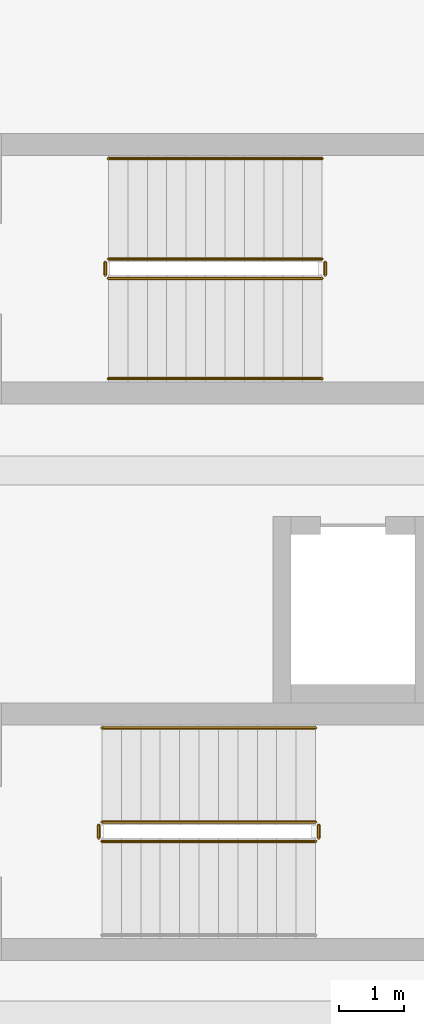
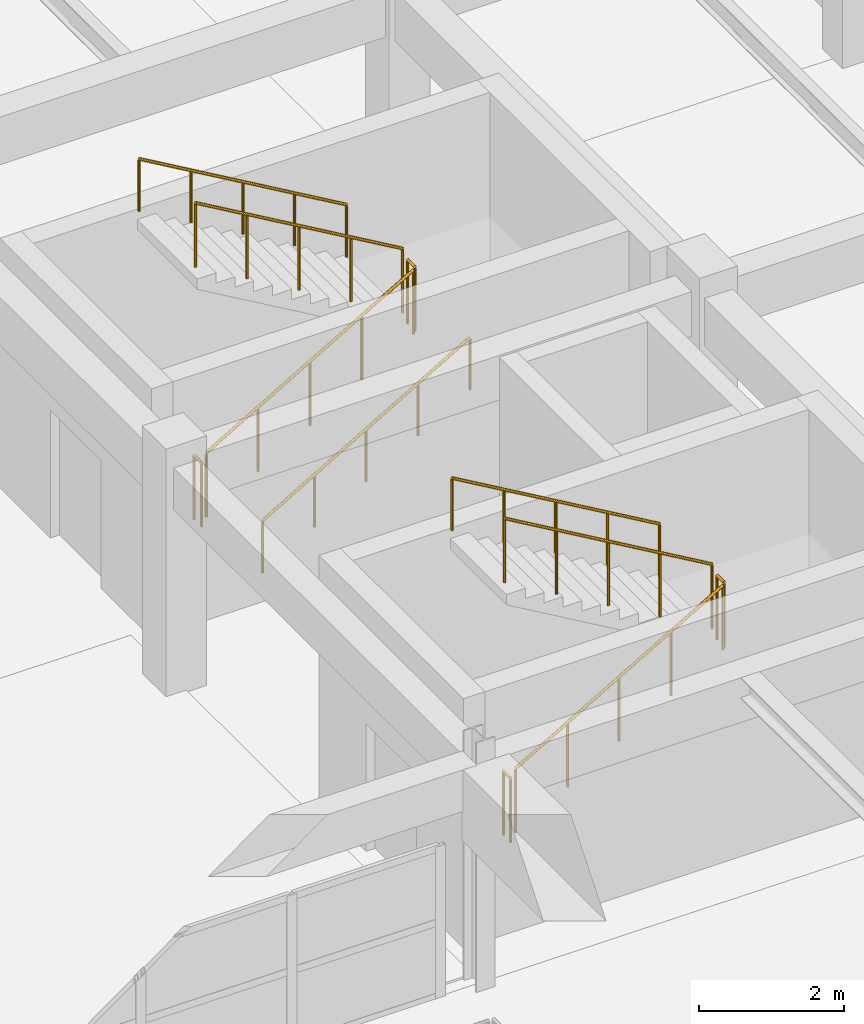
# One storey, part 64 of 71: 11 railings.
"""IFC4 building model written with IfcOpenShell, lengths in metres."""

from ifc_helpers import new_model, si_unit, direction, frame, origin, origin_2d, place, context, subcontext, project, spatial, circle, extrude, material, type_object, element, save


model = new_model("IFC4")

# Units and contexts
model_context = context("Model", 3, precision=1e-05, world=origin(), true_north=direction((0.0, 1.0)))
body_context = subcontext(model_context, "Body", "Model", "MODEL_VIEW")
ifc_project = project(units=[si_unit("LENGTHUNIT", "METRE"), si_unit("AREAUNIT", "SQUARE_METRE"), si_unit("VOLUMEUNIT", "CUBIC_METRE"), si_unit("PLANEANGLEUNIT", "RADIAN"), si_unit("MASSUNIT", "GRAM", prefix="KILO")], contexts=[model_context])

# Site, building, storey
site_placement = place(None, origin())
site = spatial("IfcSite", under=ifc_project, at=site_placement, CompositionType="ELEMENT")
building_placement = place(site_placement, origin())
building = spatial("IfcBuilding", under=site, at=building_placement, Name="Korsvaeld Concert Hall", CompositionType="ELEMENT")
storey_placement = place(building_placement, frame((0.0, 0.0, 4.800048828125)))
storey = spatial("IfcBuildingStorey", under=building, at=storey_placement, Name="L01", CompositionType="ELEMENT", Elevation=4.800048828125)

# Railings
ifc_material_1 = material(Name="Powder-coated steel and bronze stair guardrail", Category="steel")
railing_type_1 = type_object("IfcRailingType", Name="RL-STAIR-GUARD-120", PredefinedType="GUARDRAIL", material=ifc_material_1)
railing_1_placement = place(storey_placement, frame((111.320068359375, 45.8701171875, 0.175048828125)))
element("IfcRailing", 1, at=railing_1_placement, inside=storey, type_object=railing_type_1, Name="L01 ST-K4 stair guard 1", PredefinedType="GUARDRAIL", context=body_context, shape_type="SweptSolid", body=[
    extrude(circle(Radius=0.02392578125, at=origin_2d()), frame((0.0, 0.0, 1.076171875), z_axis=(0.863804395585, 0.0, 0.503827317807), x_axis=(0.0, 1.0, 0.0)), (0.0, 0.0, 1.0), 3.8203125),
    extrude(circle(Radius=0.02099609375, at=origin_2d()), origin(), (0.0, 0.0, 1.0), 1.052001953125),
    extrude(circle(Radius=0.02099609375, at=origin_2d()), frame((0.824951171875, 0.0, 0.481201171875)), (0.0, 0.0, 1.0), 1.052001953125),
    extrude(circle(Radius=0.02099609375, at=origin_2d()), frame((1.64990234375, 0.0, 0.96240234375)), (0.0, 0.0, 1.0), 1.052001953125),
    extrude(circle(Radius=0.02099609375, at=origin_2d()), frame((2.47509765625, 0.0, 1.443603515625)), (0.0, 0.0, 1.0), 1.052001953125),
    extrude(circle(Radius=0.02099609375, at=origin_2d()), frame((3.300048828125, 0.0, 1.9248046875)), (0.0, 0.0, 1.0), 1.052001953125),
])
railing_2_placement = place(storey_placement, frame((114.669921875, 45.919921875, 2.099853515625)))
element("IfcRailing", 2, at=railing_2_placement, inside=storey, type_object=railing_type_1, Name="L01 ST-K4 stair guard 2", PredefinedType="GUARDRAIL", context=body_context, shape_type="SweptSolid", body=[
    extrude(circle(Radius=0.02392578125, at=origin_2d()), frame((0.0, 0.0, 1.076171875), z_axis=(0.0, 1.0, 0.0), x_axis=(-1.0, 0.0, 0.0)), (0.0, 0.0, 1.0), 0.2001953125),
    extrude(circle(Radius=0.02099609375, at=origin_2d()), origin(), (0.0, 0.0, 1.0), 1.052001953125),
    extrude(circle(Radius=0.02099609375, at=origin_2d()), frame((0.0, 0.2001953125, 0.0)), (0.0, 0.0, 1.0), 1.052001953125),
])
railing_3_placement = place(storey_placement, frame((114.6201171875, 46.169921875, 2.27490234375)))
element("IfcRailing", 3, at=railing_3_placement, inside=storey, type_object=railing_type_1, Name="L01 ST-K4 stair guard 3", PredefinedType="GUARDRAIL", context=body_context, shape_type="SweptSolid", body=[
    extrude(circle(Radius=0.02392578125, at=origin_2d()), frame((0.0, 0.0, 1.076171875), z_axis=(-0.863776583165, 0.0, 0.503874998761), x_axis=(0.0, -1.0, 0.0)), (0.0, 0.0, 1.0), 3.820556640625),
    extrude(circle(Radius=0.02099609375, at=origin_2d()), origin(), (0.0, 0.0, 1.0), 1.052001953125),
    extrude(circle(Radius=0.02099609375, at=origin_2d()), frame((-0.824951171875, 0.0, 0.481201171875)), (0.0, 0.0, 1.0), 1.052001953125),
    extrude(circle(Radius=0.02099609375, at=origin_2d()), frame((-1.64990234375, 0.0, 0.96240234375)), (0.0, 0.0, 1.0), 1.052001953125),
    extrude(circle(Radius=0.02099609375, at=origin_2d()), frame((-2.47509765625, 0.0, 1.44384765625)), (0.0, 0.0, 1.0), 1.052001953125),
    extrude(circle(Radius=0.02099609375, at=origin_2d()), frame((-3.300048828125, 0.0, 1.925048828125)), (0.0, 0.0, 1.0), 1.052001953125),
])
railing_4_placement = place(storey_placement, frame((111.27001953125, 45.919921875, 0.0)))
element("IfcRailing", 4, at=railing_4_placement, inside=storey, type_object=railing_type_1, Name="L01 ST-K4 stair guard 4", PredefinedType="GUARDRAIL", context=body_context, shape_type="SweptSolid", body=[
    extrude(circle(Radius=0.02392578125, at=origin_2d()), frame((0.0, 0.0, 1.076171875), z_axis=(0.0, 1.0, 0.0), x_axis=(-1.0, 0.0, 0.0)), (0.0, 0.0, 1.0), 0.2001953125),
    extrude(circle(Radius=0.02099609375, at=origin_2d()), origin(), (0.0, 0.0, 1.0), 1.052001953125),
    extrude(circle(Radius=0.02099609375, at=origin_2d()), frame((0.0, 0.2001953125, 0.0)), (0.0, 0.0, 1.0), 1.052001953125),
])
railing_5_placement = place(storey_placement, frame((111.419921875, 54.570068359375, 0.175048828125)))
element("IfcRailing", 5, at=railing_5_placement, inside=storey, type_object=railing_type_1, Name="L01 ST-F2 stair guard 1", PredefinedType="GUARDRAIL", context=body_context, shape_type="SweptSolid", body=[
    extrude(circle(Radius=0.02392578125, at=origin_2d()), frame((0.0, 0.0, 1.076171875), z_axis=(0.863804395585, 0.0, 0.503827317807), x_axis=(0.0, 1.0, 0.0)), (0.0, 0.0, 1.0), 3.8203125),
    extrude(circle(Radius=0.02099609375, at=origin_2d()), origin(), (0.0, 0.0, 1.0), 1.052001953125),
    extrude(circle(Radius=0.02099609375, at=origin_2d()), frame((0.824951171875, 0.0, 0.481201171875)), (0.0, 0.0, 1.0), 1.052001953125),
    extrude(circle(Radius=0.02099609375, at=origin_2d()), frame((1.64990234375, 0.0, 0.96240234375)), (0.0, 0.0, 1.0), 1.052001953125),
    extrude(circle(Radius=0.02099609375, at=origin_2d()), frame((2.47509765625, 0.0, 1.443603515625)), (0.0, 0.0, 1.0), 1.052001953125),
    extrude(circle(Radius=0.02099609375, at=origin_2d()), frame((3.300048828125, 0.0, 1.9248046875)), (0.0, 0.0, 1.0), 1.052001953125),
])
railing_6_placement = place(storey_placement, frame((114.77001953125, 54.6201171875, 2.099853515625)))
element("IfcRailing", 6, at=railing_6_placement, inside=storey, type_object=railing_type_1, Name="L01 ST-F2 stair guard 2", PredefinedType="GUARDRAIL", context=body_context, shape_type="SweptSolid", body=[
    extrude(circle(Radius=0.02392578125, at=origin_2d()), frame((0.0, 0.0, 1.076171875), z_axis=(0.0, 1.0, 0.0), x_axis=(-1.0, 0.0, 0.0)), (0.0, 0.0, 1.0), 0.199951171875),
    extrude(circle(Radius=0.02099609375, at=origin_2d()), origin(), (0.0, 0.0, 1.0), 1.052001953125),
    extrude(circle(Radius=0.02099609375, at=origin_2d()), frame((0.0, 0.199951171875, 0.0)), (0.0, 0.0, 1.0), 1.052001953125),
])
railing_7_placement = place(storey_placement, frame((114.719970703125, 54.8701171875, 2.27490234375)))
element("IfcRailing", 7, at=railing_7_placement, inside=storey, type_object=railing_type_1, Name="L01 ST-F2 stair guard 3", PredefinedType="GUARDRAIL", context=body_context, shape_type="SweptSolid", body=[
    extrude(circle(Radius=0.02392578125, at=origin_2d()), frame((0.0, 0.0, 1.076171875), z_axis=(-0.863776583165, 0.0, 0.503874998761), x_axis=(0.0, -1.0, 0.0)), (0.0, 0.0, 1.0), 3.820556640625),
    extrude(circle(Radius=0.02099609375, at=origin_2d()), origin(), (0.0, 0.0, 1.0), 1.052001953125),
    extrude(circle(Radius=0.02099609375, at=origin_2d()), frame((-0.824951171875, 0.0, 0.481201171875)), (0.0, 0.0, 1.0), 1.052001953125),
    extrude(circle(Radius=0.02099609375, at=origin_2d()), frame((-1.64990234375, 0.0, 0.96240234375)), (0.0, 0.0, 1.0), 1.052001953125),
    extrude(circle(Radius=0.02099609375, at=origin_2d()), frame((-2.47509765625, 0.0, 1.44384765625)), (0.0, 0.0, 1.0), 1.052001953125),
    extrude(circle(Radius=0.02099609375, at=origin_2d()), frame((-3.300048828125, 0.0, 1.925048828125)), (0.0, 0.0, 1.0), 1.052001953125),
])
railing_8_placement = place(storey_placement, frame((111.3701171875, 54.6201171875, 0.0)))
element("IfcRailing", 8, at=railing_8_placement, inside=storey, type_object=railing_type_1, Name="L01 ST-F2 stair guard 4", PredefinedType="GUARDRAIL", context=body_context, shape_type="SweptSolid", body=[
    extrude(circle(Radius=0.02392578125, at=origin_2d()), frame((0.0, 0.0, 1.076171875), z_axis=(0.0, 1.0, 0.0), x_axis=(-1.0, 0.0, 0.0)), (0.0, 0.0, 1.0), 0.199951171875),
    extrude(circle(Radius=0.02099609375, at=origin_2d()), origin(), (0.0, 0.0, 1.0), 1.052001953125),
    extrude(circle(Radius=0.02099609375, at=origin_2d()), frame((0.0, 0.199951171875, 0.0)), (0.0, 0.0, 1.0), 1.052001953125),
])
ifc_material_2 = material(Name="European oak and bronze stair handrail")
railing_type_2 = type_object("IfcRailingType", Name="RL-STAIR-HAND-90", PredefinedType="HANDRAIL", material=ifc_material_2)
railing_9_placement = place(storey_placement, frame((114.6201171875, 47.6201171875, 2.27490234375)))
element("IfcRailing", 9, at=railing_9_placement, inside=storey, type_object=railing_type_2, Name="L01 ST-K4 stair handrail 2", PredefinedType="HANDRAIL", context=body_context, shape_type="SweptSolid", body=[
    extrude(circle(Radius=0.02392578125, at=origin_2d()), frame((0.0, 0.0, 0.8759765625), z_axis=(-0.863776583165, 0.0, 0.503874998761), x_axis=(0.0, -1.0, 0.0)), (0.0, 0.0, 1.0), 3.820556640625),
    extrude(circle(Radius=0.02099609375, at=origin_2d()), origin(), (0.0, 0.0, 1.0), 0.851806640625),
    extrude(circle(Radius=0.02099609375, at=origin_2d()), frame((-0.824951171875, 0.0, 0.481201171875)), (0.0, 0.0, 1.0), 0.851806640625),
    extrude(circle(Radius=0.02099609375, at=origin_2d()), frame((-1.64990234375, 0.0, 0.96240234375)), (0.0, 0.0, 1.0), 0.851806640625),
    extrude(circle(Radius=0.02099609375, at=origin_2d()), frame((-2.47509765625, 0.0, 1.44384765625)), (0.0, 0.0, 1.0), 0.851806640625),
    extrude(circle(Radius=0.02099609375, at=origin_2d()), frame((-3.300048828125, 0.0, 1.925048828125)), (0.0, 0.0, 1.0), 0.851806640625),
])
railing_10_placement = place(storey_placement, frame((111.419921875, 53.02001953125, 0.175048828125)))
element("IfcRailing", 10, at=railing_10_placement, inside=storey, type_object=railing_type_2, Name="L01 ST-F2 stair handrail 1", PredefinedType="HANDRAIL", context=body_context, shape_type="SweptSolid", body=[
    extrude(circle(Radius=0.02392578125, at=origin_2d()), frame((0.0, 0.0, 0.8759765625), z_axis=(0.863804395585, 0.0, 0.503827317807), x_axis=(0.0, 1.0, 0.0)), (0.0, 0.0, 1.0), 3.8203125),
    extrude(circle(Radius=0.02099609375, at=origin_2d()), origin(), (0.0, 0.0, 1.0), 0.851806640625),
    extrude(circle(Radius=0.02099609375, at=origin_2d()), frame((0.824951171875, 0.0, 0.481201171875)), (0.0, 0.0, 1.0), 0.851806640625),
    extrude(circle(Radius=0.02099609375, at=origin_2d()), frame((1.64990234375, 0.0, 0.96240234375)), (0.0, 0.0, 1.0), 0.851806640625),
    extrude(circle(Radius=0.02099609375, at=origin_2d()), frame((2.47509765625, 0.0, 1.443603515625)), (0.0, 0.0, 1.0), 0.851806640625),
    extrude(circle(Radius=0.02099609375, at=origin_2d()), frame((3.300048828125, 0.0, 1.9248046875)), (0.0, 0.0, 1.0), 0.851806640625),
])
railing_11_placement = place(storey_placement, frame((114.719970703125, 56.419921875, 2.27490234375)))
element("IfcRailing", 11, at=railing_11_placement, inside=storey, type_object=railing_type_2, Name="L01 ST-F2 stair handrail 2", PredefinedType="HANDRAIL", context=body_context, shape_type="SweptSolid", body=[
    extrude(circle(Radius=0.02392578125, at=origin_2d()), frame((0.0, 0.0, 0.8759765625), z_axis=(-0.863776583165, 0.0, 0.503874998761), x_axis=(0.0, -1.0, 0.0)), (0.0, 0.0, 1.0), 3.820556640625),
    extrude(circle(Radius=0.02099609375, at=origin_2d()), origin(), (0.0, 0.0, 1.0), 0.851806640625),
    extrude(circle(Radius=0.02099609375, at=origin_2d()), frame((-0.824951171875, 0.0, 0.481201171875)), (0.0, 0.0, 1.0), 0.851806640625),
    extrude(circle(Radius=0.02099609375, at=origin_2d()), frame((-1.64990234375, 0.0, 0.96240234375)), (0.0, 0.0, 1.0), 0.851806640625),
    extrude(circle(Radius=0.02099609375, at=origin_2d()), frame((-2.47509765625, 0.0, 1.44384765625)), (0.0, 0.0, 1.0), 0.851806640625),
    extrude(circle(Radius=0.02099609375, at=origin_2d()), frame((-3.300048828125, 0.0, 1.925048828125)), (0.0, 0.0, 1.0), 0.851806640625),
])

save(model, "model.ifc")
